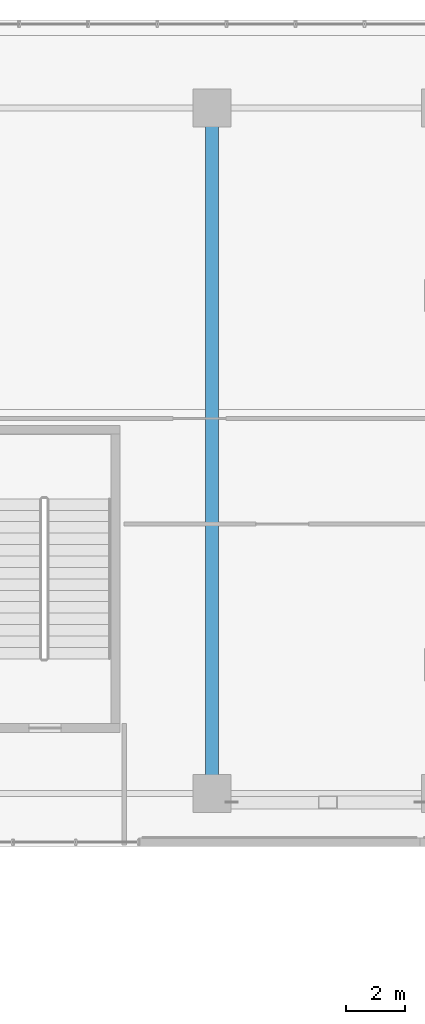
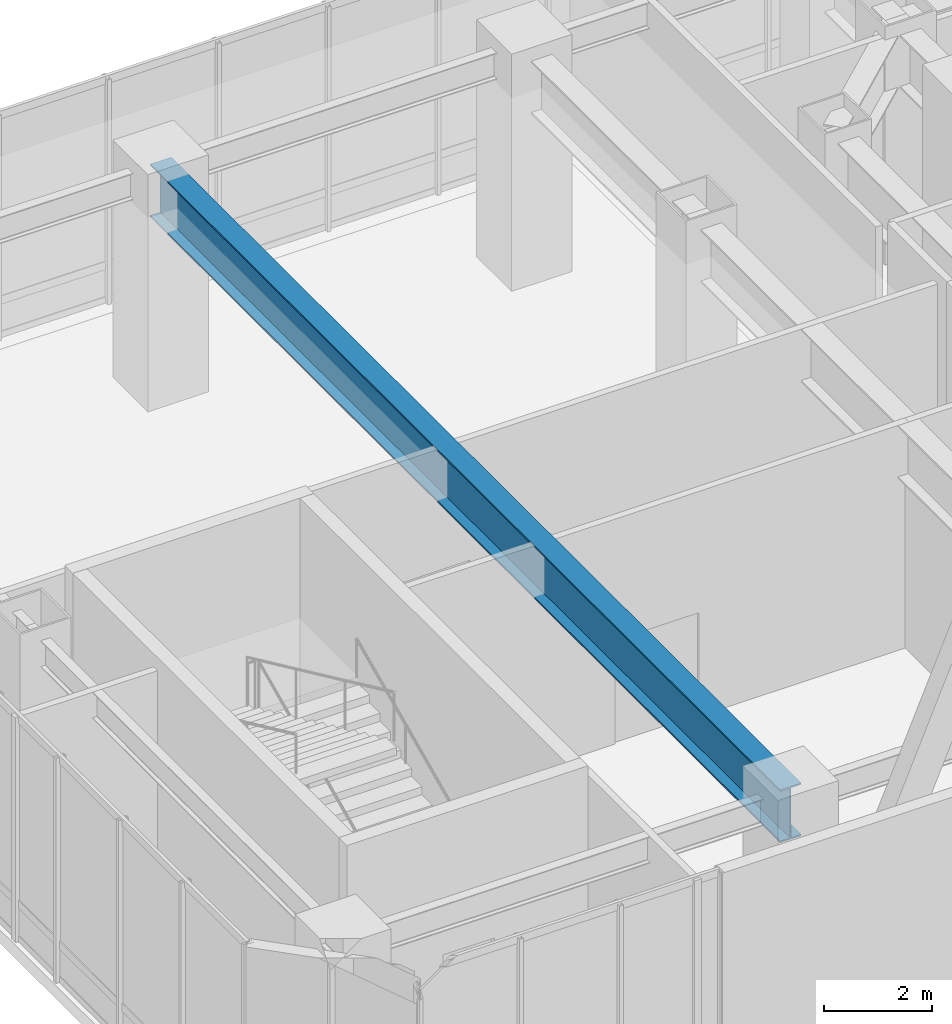
# One storey, part 13 of 35: 1 beam.
"""IFC4 building model written with IfcOpenShell, lengths in metres."""

from ifc_helpers import new_model, si_unit, direction, frame, origin, origin_2d, place, context, subcontext, project, spatial, i_section, extrude, material, material_profile, profile_set, type_object, element, save


model = new_model("IFC4")

# Units and contexts
model_context = context("Model", 3, precision=1e-05, world=origin(), true_north=direction((0.0, 1.0)))
body_context = subcontext(model_context, "Body", "Model", "MODEL_VIEW")
ifc_project = project(units=[si_unit("LENGTHUNIT", "METRE"), si_unit("AREAUNIT", "SQUARE_METRE"), si_unit("VOLUMEUNIT", "CUBIC_METRE"), si_unit("PLANEANGLEUNIT", "RADIAN"), si_unit("MASSUNIT", "GRAM", prefix="KILO")], contexts=[model_context])

# Site, building, storey
site_placement = place(None, origin())
site = spatial("IfcSite", under=ifc_project, at=site_placement, CompositionType="ELEMENT")
building_placement = place(site_placement, origin())
building = spatial("IfcBuilding", under=site, at=building_placement, Name="Hatsunagi Terrace Concourse", CompositionType="ELEMENT")
storey_placement = place(building_placement, frame((0.0, 0.0, 5.39990234375)))
storey = spatial("IfcBuildingStorey", under=building, at=storey_placement, Name="L02", CompositionType="ELEMENT", Elevation=5.39990234375)

# Beam
ifc_material = material(Name="Steel SN490B", Category="steel")
ifc_material_profile = material_profile(ifc_material, i_section(OverallWidth=0.449951171875, OverallDepth=1.199951171875, WebThickness=0.02490234375, FlangeThickness=0.035888671875, at=origin_2d()), Name="BH-1200x450x25x36")
ifc_profile_set = profile_set([ifc_material_profile], Name="Steel SN490B")
beam_type = type_object("IfcBeamType", Name="PodiumHallGirder_BH_1200x450x25x36", PredefinedType="BEAM", material=ifc_profile_set)
beam_placement = place(storey_placement, frame((11.39990234375, 25.199951171875, 4.5), z_axis=(0.0, 1.0, 0.0), x_axis=(-1.0, 0.0, 0.0)))
element("IfcBeam", 1, at=beam_placement, inside=storey, type_object=beam_type, Name="Beam G-01 BM-L02-NS-11-25", PredefinedType="BEAM", context=body_context, shape_type="SweptSolid", body=[
    extrude(i_section(OverallWidth=0.449951171875, OverallDepth=1.199951171875, WebThickness=0.02490234375, FlangeThickness=0.035888671875, at=origin_2d()), origin(), (0.0, 0.0, 1.0), 23.400146484375),
])

save(model, "model.ifc")
